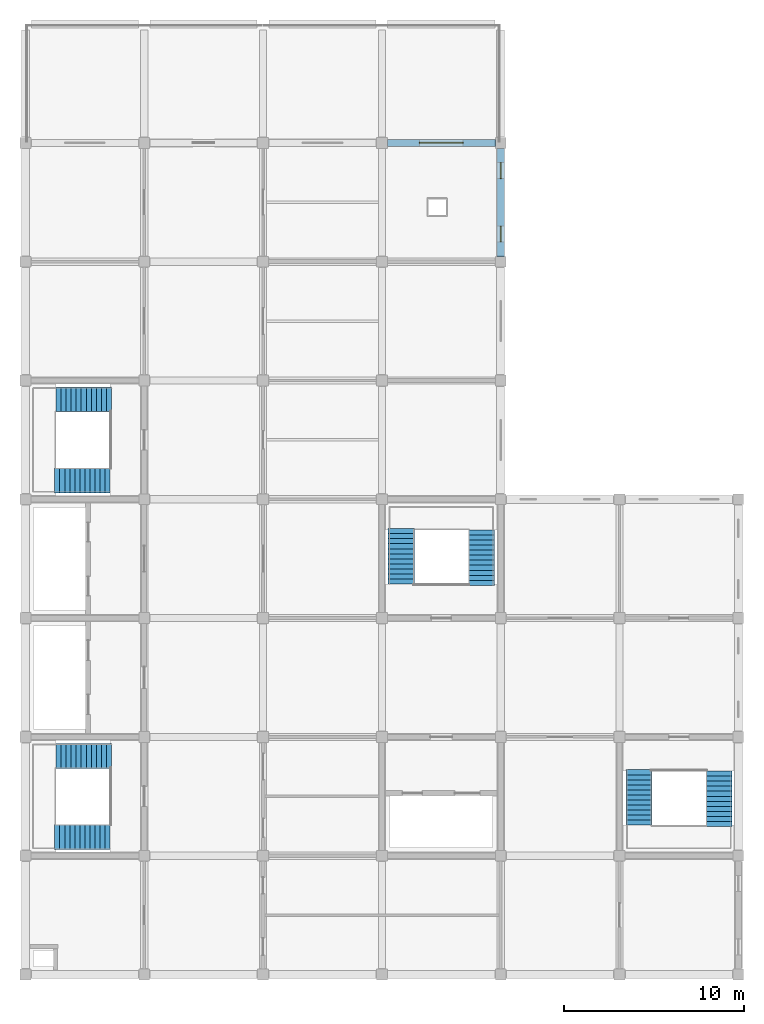
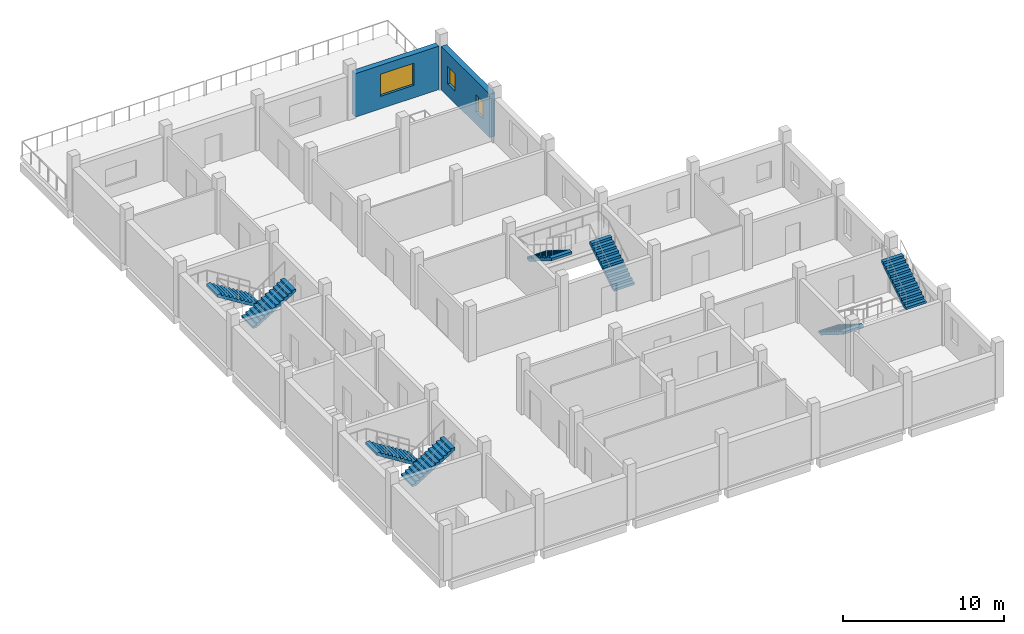
# One storey, part 5 of 7: 8 stair flights, 3 windows, 2 walls, 3 openings, 4 elements without a shape of their own.
"""IFC4 building model written with IfcOpenShell, lengths in metres."""

import ifcopenshell
import ifcopenshell.guid

model = None  # the IFC model being written
_history = None  # IfcOwnerHistory: only IFC2X3 demands one
_inside = {}  # id of a spatial element -> (the spatial element, [elements in it])
_under = {}  # id of a project, library or spatial element -> (it, [spatial elements below it])
_declared = {}  # id of a project -> (the project, [libraries it declares])
_typed = {}  # id of a type object -> (the type object, [elements of that type])
_made_of = {}  # id of a material, layer set ... -> (it, [elements and type objects made of it])


def new_model(schema):
    """Start an empty IFC model of exactly this schema.

    Asked for "IFC4X3", IfcOpenShell would pick the latest addendum, in which some entities
    have other attributes; the version numbers below select the first issue.
    IFC2X3 requires an IfcOwnerHistory on every rooted entity: one is made here for all.
    """
    global model, _history
    if schema == "IFC4X3":
        model = ifcopenshell.file(schema_version=(4, 3, 0, 0))
    else:
        model = ifcopenshell.file(schema=schema)
    _inside.clear()
    _under.clear()
    _declared.clear()
    _typed.clear()
    _made_of.clear()
    _history = None
    if model.schema == "IFC2X3":
        org = make("IfcOrganization", Name="unknown")
        user = make(
            "IfcPersonAndOrganization",
            ThePerson=make("IfcPerson", FamilyName="unknown"),
            TheOrganization=org,
        )
        app = make(
            "IfcApplication",
            ApplicationDeveloper=org,
            Version="unknown",
            ApplicationFullName="unknown",
            ApplicationIdentifier="unknown",
        )
        _history = make(
            "IfcOwnerHistory",
            OwningUser=user,
            OwningApplication=app,
            ChangeAction="ADDED",
            CreationDate=0,
        )
    return model


def make(cls, **values):
    """One entity of the class cls with the attributes given. An attribute that is None is left unset."""
    return model.create_entity(
        cls, **{name: value for name, value in values.items() if value is not None}
    )


def rooted(cls, **values):
    """An entity with a GlobalId (a new one), such as an element, a storey or a relation."""
    return make(cls, GlobalId=ifcopenshell.guid.new(), OwnerHistory=_history, **values)


def si_unit(unit_type, name, prefix=None):
    """IfcSIUnit, for example si_unit("LENGTHUNIT", "METRE", prefix="MILLI")."""
    return make("IfcSIUnit", UnitType=unit_type, Prefix=prefix, Name=name)


def assignment(units):
    """IfcUnitAssignment: the units of a project."""
    return None if units is None else make("IfcUnitAssignment", Units=units)


def point(xyz):
    """IfcCartesianPoint."""
    return None if xyz is None else make("IfcCartesianPoint", Coordinates=xyz)


def direction(xyz):
    """IfcDirection."""
    return None if xyz is None else make("IfcDirection", DirectionRatios=xyz)


def frame(location, z_axis=None, x_axis=None):
    """IfcAxis2Placement3D, a coordinate frame: its origin and axes. An axis left out is left unset."""
    return make(
        "IfcAxis2Placement3D",
        Location=point(location),
        Axis=direction(z_axis),
        RefDirection=direction(x_axis),
    )


def frame_2d(location, x_axis=None):
    """IfcAxis2Placement2D, a coordinate frame in the plane: its origin and x axis."""
    return make(
        "IfcAxis2Placement2D", Location=point(location), RefDirection=direction(x_axis)
    )


def origin():
    """The frame at (0, 0, 0) with its axes left unset."""
    return frame((0.0, 0.0, 0.0))


def place(relative_to, where):
    """IfcLocalPlacement: puts the frame where relative to a parent placement (None: the world)."""
    return make(
        "IfcLocalPlacement", PlacementRelTo=relative_to, RelativePlacement=where
    )


def context(
    kind, dimensions, precision=None, world=None, true_north=None, identifier=None
):
    """IfcGeometricRepresentationContext, for example the 3D "Model" context."""
    return make(
        "IfcGeometricRepresentationContext",
        ContextIdentifier=identifier,
        ContextType=kind,
        CoordinateSpaceDimension=dimensions,
        Precision=precision,
        WorldCoordinateSystem=world,
        TrueNorth=true_north,
    )


def subcontext(parent, identifier, kind, view, scale=None):
    """IfcGeometricRepresentationSubContext, for example "Body" below "Model"."""
    return make(
        "IfcGeometricRepresentationSubContext",
        ContextIdentifier=identifier,
        ContextType=kind,
        ParentContext=parent,
        TargetScale=scale,
        TargetView=view,
    )


def project(units=None, contexts=None):
    """IfcProject with its units and contexts."""
    return rooted(
        "IfcProject",
        Name="project",
        RepresentationContexts=contexts,
        UnitsInContext=assignment(units),
    )


def spatial(cls, under=None, at=None, **own):
    """A site, building, storey or space (cls), placed at a placement, below another one or the project."""
    s = rooted(cls, ObjectPlacement=at, **own)
    if under is not None:
        _under.setdefault(under.id(), (under, []))[1].append(s)
    return s


def polyline(points):
    """IfcPolyline through the points."""
    return make("IfcPolyline", Points=[point(p) for p in points])


def profile(cls, at=None, kind="AREA", **sizes):
    """A parametric profile (cls). Its sizes go by their IFC names, for example OverallWidth=200.0."""
    return make(cls, ProfileType=kind, Position=at, **sizes)


def rectangle(**sizes):
    """IfcRectangleProfileDef."""
    return profile("IfcRectangleProfileDef", **sizes)


def outline(outer, holes=None, kind="AREA"):
    """IfcArbitraryClosedProfileDef: a profile drawn as a closed curve; with holes, ...WithVoids."""
    if holes is None:
        return make("IfcArbitraryClosedProfileDef", ProfileType=kind, OuterCurve=outer)
    return make(
        "IfcArbitraryProfileDefWithVoids",
        ProfileType=kind,
        OuterCurve=outer,
        InnerCurves=holes,
    )


def extrude(swept, where, along, depth):
    """IfcExtrudedAreaSolid: the profile swept, set in the frame where, extruded along a direction by depth."""
    return make(
        "IfcExtrudedAreaSolid",
        SweptArea=swept,
        Position=where,
        ExtrudedDirection=direction(along),
        Depth=depth,
    )


def shape(context_of_items, identifier, shape_type, items):
    """IfcShapeRepresentation: the items that make up one representation, for example the "Body"."""
    return make(
        "IfcShapeRepresentation",
        ContextOfItems=context_of_items,
        RepresentationIdentifier=identifier,
        RepresentationType=shape_type,
        Items=items,
    )


def material(Name=None, Category=None):
    """IfcMaterial."""
    return make("IfcMaterial", Name=Name, Category=Category)


def layer(
    of_material, thickness, ventilated=None, Name=None, Category=None, Priority=None
):
    """IfcMaterialLayer: one layer of a wall or slab, of a material (None: an air gap)."""
    return make(
        "IfcMaterialLayer",
        Material=of_material,
        LayerThickness=thickness,
        IsVentilated=ventilated,
        Name=Name,
        Category=Category,
        Priority=Priority,
    )


def layer_set(layers, Name=None):
    """IfcMaterialLayerSet."""
    return make("IfcMaterialLayerSet", MaterialLayers=layers, LayerSetName=Name)


def made_of(thing, what):
    """Note that an element or type object is made of a material, layer set ...; save() writes the relation."""
    if what is not None:
        _made_of.setdefault(what.id(), (what, []))[1].append(thing)
    return thing


def type_object(cls, material=None, **own):
    """A type object (cls), such as IfcWallType, which elements share."""
    return made_of(rooted(cls, **own), material)


def element(
    cls,
    number,
    at=None,
    inside=None,
    cuts=None,
    type_object=None,
    material=None,
    context=None,
    identifier="Body",
    shape_type=None,
    held_by="IfcProductDefinitionShape",
    body=None,
    shapes=None,
    **own,
):
    """One element of the class cls, such as IfcWall. Its Tag is "e" and its number.

    at: its placement. inside: the storey or other place that contains it. cuts: it is an
    opening in that element (IfcRelVoidsElement). A single representation is given by context,
    identifier, shape_type and body (its items); several are given by shapes. held_by: the class
    of the entity that holds the representations. save() writes the other relations.
    """
    e = rooted(cls, Tag="e%d" % number, ObjectPlacement=at, **own)
    if body is not None:
        shapes = [shape(context, identifier, shape_type, body)]
    if shapes is not None:
        e.Representation = make(held_by, Representations=shapes)
    if inside is not None:
        _inside.setdefault(inside.id(), (inside, []))[1].append(e)
    if cuts is not None:
        rooted(
            "IfcRelVoidsElement", RelatingBuildingElement=cuts, RelatedOpeningElement=e
        )
    if type_object is not None:
        _typed.setdefault(type_object.id(), (type_object, []))[1].append(e)
    return made_of(e, material)


def fill(opening, filler):
    """IfcRelFillsElement: the door or window that sits in an opening."""
    return rooted(
        "IfcRelFillsElement",
        RelatingOpeningElement=opening,
        RelatedBuildingElement=filler,
    )


def aggregate(whole, parts):
    """IfcRelAggregates: a whole, such as a stair, and the parts it consists of."""
    return rooted("IfcRelAggregates", RelatingObject=whole, RelatedObjects=parts)


def save(model, path):
    """Write the relations noted so far, then the file.

    IfcRelAggregates (storeys below a building ...), IfcRelContainedInSpatialStructure (elements
    in a storey), IfcRelDefinesByType, IfcRelAssociatesMaterial and IfcRelDeclares: one each for
    every whole, place, type object, material and project.
    """
    for whole, parts in _under.values():
        aggregate(whole, parts)
    for where, things in _inside.values():
        rooted(
            "IfcRelContainedInSpatialStructure",
            RelatedElements=things,
            RelatingStructure=where,
        )
    for kind, things in _typed.values():
        rooted("IfcRelDefinesByType", RelatedObjects=things, RelatingType=kind)
    for what, things in _made_of.values():
        rooted("IfcRelAssociatesMaterial", RelatedObjects=things, RelatingMaterial=what)
    for by, libraries in _declared.values():
        rooted("IfcRelDeclares", RelatingContext=by, RelatedDefinitions=libraries)
    model.write(path)


model = new_model("IFC4")

# Units and contexts
model_context = context("Model", 3, precision=1e-05, world=origin(), true_north=direction((0.0, 1.0)))
body_context = subcontext(model_context, "Body", "Model", "MODEL_VIEW")
ifc_project = project(units=[si_unit("LENGTHUNIT", "METRE"), si_unit("AREAUNIT", "SQUARE_METRE"), si_unit("VOLUMEUNIT", "CUBIC_METRE"), si_unit("PLANEANGLEUNIT", "RADIAN"), si_unit("MASSUNIT", "GRAM", prefix="KILO")], contexts=[model_context])

# Site, building, storey
site_placement = place(None, origin())
site = spatial("IfcSite", under=ifc_project, at=site_placement, CompositionType="ELEMENT")
building_placement = place(site_placement, origin())
building = spatial("IfcBuilding", under=site, at=building_placement, Name="Rusizi Kubbe Research Institute", CompositionType="ELEMENT")
storey_placement = place(building_placement, frame((0.0, 0.0, 64.800048828125)))
storey = spatial("IfcBuildingStorey", under=building, at=storey_placement, Name="L15", CompositionType="ELEMENT", Elevation=64.800048828125)

# Wall, opening, window
ifc_material_1 = material(Name="Volcanic Basalt Ashlar Masonry", Category="masonry")
ifc_layer = layer(ifc_material_1, 0.39990234375)
ifc_layer_set = layer_set([ifc_layer], Name="Volcanic Basalt Ashlar Masonry")
wall_type = type_object("IfcWallType", Name="EW-03", PredefinedType="SOLIDWALL", material=ifc_layer_set)
wall_1_placement = place(storey_placement, frame((20.10009765625, 46.199951171875, 0.0), z_axis=(0.0, 0.0, 1.0), x_axis=(1.0, 0.0, 0.0)))
wall_1 = element("IfcWall", 1, at=wall_1_placement, inside=storey, type_object=wall_type, Name="Ablaq Stone Exterior Wall L15 H3-7", PredefinedType="SOLIDWALL", context=body_context, shape_type="SweptSolid", body=[
    extrude(rectangle(XDim=6.0, YDim=0.39990234375, at=frame_2d((3.0, 0.0))), origin(), (0.0, 0.0, 1.0), 3.300048828125),
])
opening_1_placement = place(wall_1_placement, frame((1.7900390625, 0.0, 0.949951171875)))
opening_1 = element("IfcOpeningElement", 2, at=opening_1_placement, cuts=wall_1, Name="Opening WN-38", PredefinedType="OPENING", context=body_context, shape_type="SweptSolid", body=[
    extrude(rectangle(XDim=2.419921875, YDim=1.679931640625, at=frame_2d((1.2099609375, 0.83984375))), frame((0.0, 0.2099609375, 0.0), z_axis=(0.0, -1.0, 0.0), x_axis=(1.0, 0.0, 0.0)), (0.0, 0.0, 1.0), 0.419921875),
])
ifc_material_2 = material(Name="Aluminium Frame and Solar-Control Double Glazing", Category="glass")
window_type_1 = type_object("IfcWindowType", Name="WN-38", PartitioningType="DOUBLE_PANEL_VERTICAL", PredefinedType="WINDOW", material=ifc_material_2)
window_1_placement = place(opening_1_placement, origin())
window_1 = element("IfcWindow", 3, at=window_1_placement, inside=storey, type_object=window_type_1, Name="Casement Window WN-38 L15", OverallHeight=1.679931640625, OverallWidth=2.419921875, PartitioningType="DOUBLE_PANEL_VERTICAL", PredefinedType="WINDOW", context=body_context, shape_type="SweptSolid", body=[
    extrude(rectangle(XDim=2.419921875, YDim=1.679931640625, at=frame_2d((1.2099609375, 0.83984375))), frame((0.0, 0.030029296875, 0.0), z_axis=(0.0, -1.0, 0.0), x_axis=(1.0, 0.0, 0.0)), (0.0, 0.0, 1.0), 0.06005859375),
])
fill(opening_1, window_1)

# Wall, openings, windows
wall_2_placement = place(storey_placement, frame((26.39990234375, 39.89990234375, 0.0), z_axis=(0.0, 0.0, 1.0), x_axis=(0.0, 1.0, 0.0)))
wall_2 = element("IfcWall", 4, at=wall_2_placement, inside=storey, type_object=wall_type, Name="Ablaq Stone Exterior Wall L15 V4-6", PredefinedType="SOLIDWALL", context=body_context, shape_type="SweptSolid", body=[
    extrude(rectangle(XDim=6.0, YDim=0.39990234375, at=frame_2d((3.0, 0.0))), origin(), (0.0, 0.0, 1.0), 3.300048828125),
])
opening_2_placement = place(wall_2_placement, frame((0.800048828125, 0.0, 0.949951171875)))
opening_2 = element("IfcOpeningElement", 5, at=opening_2_placement, cuts=wall_2, Name="Opening WN-01", PredefinedType="OPENING", context=body_context, shape_type="SweptSolid", body=[
    extrude(rectangle(XDim=0.8798828125, YDim=1.300048828125, at=frame_2d((0.43994140625, 0.64990234375))), frame((0.0, 0.2099609375, 0.0), z_axis=(0.0, -1.0, 0.0), x_axis=(1.0, 0.0, 0.0)), (0.0, 0.0, 1.0), 0.419921875),
])
opening_3_placement = place(wall_2_placement, frame((4.320068359375, 0.0, 0.949951171875)))
opening_3 = element("IfcOpeningElement", 6, at=opening_3_placement, cuts=wall_2, Name="Opening WN-01", PredefinedType="OPENING", context=body_context, shape_type="SweptSolid", body=[
    extrude(rectangle(XDim=0.8798828125, YDim=1.300048828125, at=frame_2d((0.43994140625, 0.64990234375))), frame((0.0, 0.2099609375, 0.0), z_axis=(0.0, -1.0, 0.0), x_axis=(1.0, 0.0, 0.0)), (0.0, 0.0, 1.0), 0.419921875),
])
ifc_material_3 = material(Name="Aluminium Frame and Solar-Control Double Glazing", Category="glass")
window_type_2 = type_object("IfcWindowType", Name="WN-01", PartitioningType="SINGLE_PANEL", PredefinedType="WINDOW", material=ifc_material_3)
window_2_placement = place(opening_2_placement, origin())
window_2 = element("IfcWindow", 7, at=window_2_placement, inside=storey, type_object=window_type_2, Name="Casement Window WN-01 L15", OverallHeight=1.300048828125, OverallWidth=0.8798828125, PartitioningType="SINGLE_PANEL", PredefinedType="WINDOW", context=body_context, shape_type="SweptSolid", body=[
    extrude(rectangle(XDim=0.8798828125, YDim=1.300048828125, at=frame_2d((0.43994140625, 0.64990234375))), frame((0.0, 0.030029296875, 0.0), z_axis=(0.0, -1.0, 0.0), x_axis=(1.0, 0.0, 0.0)), (0.0, 0.0, 1.0), 0.06005859375),
])
fill(opening_2, window_2)
window_3_placement = place(opening_3_placement, origin())
window_3 = element("IfcWindow", 8, at=window_3_placement, inside=storey, type_object=window_type_2, Name="Casement Window WN-01 L15", OverallHeight=1.300048828125, OverallWidth=0.8798828125, PartitioningType="SINGLE_PANEL", PredefinedType="WINDOW", context=body_context, shape_type="SweptSolid", body=[
    extrude(rectangle(XDim=0.8798828125, YDim=1.300048828125, at=frame_2d((0.43994140625, 0.64990234375))), frame((0.0, 0.030029296875, 0.0), z_axis=(0.0, -1.0, 0.0), x_axis=(1.0, 0.0, 0.0)), (0.0, 0.0, 1.0), 0.06005859375),
])
fill(opening_3, window_3)

# Stair, stair flights
ifc_material_4 = material(Name="Concrete C40/50", Category="concrete")
stair_type_1 = type_object("IfcStairType", Name="ST-H420A", PredefinedType="HALF_TURN_STAIR", material=ifc_material_4)
stair_1_placement = place(storey_placement, origin())
stair_1 = element("IfcStair", 9, at=stair_1_placement, inside=storey, type_object=stair_type_1, Name="Protected Exit Stair ST1 (L15)", PredefinedType="HALF_TURN_STAIR")
ifc_material_5 = material(Name="Concrete C40/50", Category="concrete")
stair_flight_type_1 = type_object("IfcStairFlightType", Name="FL-H420A", PredefinedType="STRAIGHT", material=ifc_material_5)
stair_flight_1_placement = place(storey_placement, frame((4.780029296875, 12.14990234375, 0.0), z_axis=(0.0, 0.0, 1.0), x_axis=(-1.0, 0.0, 0.0)))
stair_flight_1 = element("IfcStairFlight", 10, at=stair_flight_1_placement, type_object=stair_flight_type_1, Name="ST1 flight 1", NumberOfRisers=12, NumberOfTreads=11, PredefinedType="STRAIGHT", RiserHeight=0.175, TreadLength=0.28, context=body_context, shape_type="SweptSolid", body=[
    extrude(outline(polyline([(0.0, 0.0), (0.0, 0.175048828125), (0.280029296875, 0.175048828125), (0.280029296875, 0.35009765625), (0.56005859375, 0.35009765625), (0.56005859375, 0.52490234375), (0.840087890625, 0.52490234375), (0.840087890625, 0.699951171875), (1.1201171875, 0.699951171875), (1.1201171875, 0.875), (1.39990234375, 0.875), (1.39990234375, 1.050048828125), (1.679931640625, 1.050048828125), (1.679931640625, 1.22509765625), (1.9599609375, 1.22509765625), (1.9599609375, 1.39990234375), (2.239990234375, 1.39990234375), (2.239990234375, 1.574951171875), (2.52001953125, 1.574951171875), (2.52001953125, 1.75), (2.800048828125, 1.75), (2.800048828125, 1.925048828125), (3.080078125, 1.925048828125), (3.080078125, 2.10009765625), (3.080078125, 1.736328125), (0.3017578125, 0.0), (0.0, 0.0)])), frame((0.0, 0.699951171875, 0.0), z_axis=(0.0, -1.0, 0.0), x_axis=(1.0, 0.0, 0.0)), (0.0, 0.0, 1.0), 1.39990234375),
])
stair_flight_2_placement = place(storey_placement, frame((1.6259765625, 7.64990234375, 2.099853515625), z_axis=(0.0, 0.0, 1.0), x_axis=(1.0, 0.0, 0.0)))
stair_flight_2 = element("IfcStairFlight", 11, at=stair_flight_2_placement, type_object=stair_flight_type_1, Name="ST1 flight 2", NumberOfRisers=12, NumberOfTreads=11, PredefinedType="STRAIGHT", RiserHeight=0.175, TreadLength=0.28, context=body_context, shape_type="SweptSolid", body=[
    extrude(outline(polyline([(0.0, 0.0), (0.0, 0.175048828125), (0.280029296875, 0.175048828125), (0.280029296875, 0.35009765625), (0.56005859375, 0.35009765625), (0.56005859375, 0.52490234375), (0.840087890625, 0.52490234375), (0.840087890625, 0.699951171875), (1.1201171875, 0.699951171875), (1.1201171875, 0.875), (1.39990234375, 0.875), (1.39990234375, 1.050048828125), (1.679931640625, 1.050048828125), (1.679931640625, 1.22509765625), (1.9599609375, 1.22509765625), (1.9599609375, 1.39990234375), (2.239990234375, 1.39990234375), (2.239990234375, 1.574951171875), (2.52001953125, 1.574951171875), (2.52001953125, 1.75), (2.800048828125, 1.75), (2.800048828125, 1.925048828125), (3.080078125, 1.925048828125), (3.080078125, 2.10009765625), (3.080078125, 1.736328125), (0.3017578125, 0.0), (0.0, 0.0)])), frame((0.0, 0.699951171875, 0.0), z_axis=(0.0, -1.0, 0.0), x_axis=(1.0, 0.0, 0.0)), (0.0, 0.0, 1.0), 1.39990234375),
])
aggregate(stair_1, [stair_flight_1, stair_flight_2])

stair_2_placement = place(storey_placement, origin())
stair_2 = element("IfcStair", 12, at=stair_2_placement, inside=storey, type_object=stair_type_1, Name="Protected Exit Stair ST2 (L15)", PredefinedType="HALF_TURN_STAIR")
stair_flight_3_placement = place(storey_placement, frame((4.780029296875, 31.949951171875, 0.0), z_axis=(0.0, 0.0, 1.0), x_axis=(-1.0, 0.0, 0.0)))
stair_flight_3 = element("IfcStairFlight", 13, at=stair_flight_3_placement, type_object=stair_flight_type_1, Name="ST2 flight 1", NumberOfRisers=12, NumberOfTreads=11, PredefinedType="STRAIGHT", RiserHeight=0.175, TreadLength=0.28, context=body_context, shape_type="SweptSolid", body=[
    extrude(outline(polyline([(0.0, 0.0), (0.0, 0.175048828125), (0.280029296875, 0.175048828125), (0.280029296875, 0.35009765625), (0.56005859375, 0.35009765625), (0.56005859375, 0.52490234375), (0.840087890625, 0.52490234375), (0.840087890625, 0.699951171875), (1.1201171875, 0.699951171875), (1.1201171875, 0.875), (1.39990234375, 0.875), (1.39990234375, 1.050048828125), (1.679931640625, 1.050048828125), (1.679931640625, 1.22509765625), (1.9599609375, 1.22509765625), (1.9599609375, 1.39990234375), (2.239990234375, 1.39990234375), (2.239990234375, 1.574951171875), (2.52001953125, 1.574951171875), (2.52001953125, 1.75), (2.800048828125, 1.75), (2.800048828125, 1.925048828125), (3.080078125, 1.925048828125), (3.080078125, 2.10009765625), (3.080078125, 1.736328125), (0.3017578125, 0.0), (0.0, 0.0)])), frame((0.0, 0.699951171875, 0.0), z_axis=(0.0, -1.0, 0.0), x_axis=(1.0, 0.0, 0.0)), (0.0, 0.0, 1.0), 1.39990234375),
])
stair_flight_4_placement = place(storey_placement, frame((1.6259765625, 27.449951171875, 2.099853515625), z_axis=(0.0, 0.0, 1.0), x_axis=(1.0, 0.0, 0.0)))
stair_flight_4 = element("IfcStairFlight", 14, at=stair_flight_4_placement, type_object=stair_flight_type_1, Name="ST2 flight 2", NumberOfRisers=12, NumberOfTreads=11, PredefinedType="STRAIGHT", RiserHeight=0.175, TreadLength=0.28, context=body_context, shape_type="SweptSolid", body=[
    extrude(outline(polyline([(0.0, 0.0), (0.0, 0.175048828125), (0.280029296875, 0.175048828125), (0.280029296875, 0.35009765625), (0.56005859375, 0.35009765625), (0.56005859375, 0.52490234375), (0.840087890625, 0.52490234375), (0.840087890625, 0.699951171875), (1.1201171875, 0.699951171875), (1.1201171875, 0.875), (1.39990234375, 0.875), (1.39990234375, 1.050048828125), (1.679931640625, 1.050048828125), (1.679931640625, 1.22509765625), (1.9599609375, 1.22509765625), (1.9599609375, 1.39990234375), (2.239990234375, 1.39990234375), (2.239990234375, 1.574951171875), (2.52001953125, 1.574951171875), (2.52001953125, 1.75), (2.800048828125, 1.75), (2.800048828125, 1.925048828125), (3.080078125, 1.925048828125), (3.080078125, 2.10009765625), (3.080078125, 1.736328125), (0.3017578125, 0.0), (0.0, 0.0)])), frame((0.0, 0.699951171875, 0.0), z_axis=(0.0, -1.0, 0.0), x_axis=(1.0, 0.0, 0.0)), (0.0, 0.0, 1.0), 1.39990234375),
])
aggregate(stair_2, [stair_flight_3, stair_flight_4])

ifc_material_6 = material(Name="Concrete C40/50", Category="concrete")
stair_type_2 = type_object("IfcStairType", Name="ST-H420B", PredefinedType="HALF_TURN_STAIR", material=ifc_material_6)
stair_3_placement = place(storey_placement, origin())
stair_3 = element("IfcStair", 15, at=stair_3_placement, inside=storey, type_object=stair_type_2, Name="Protected Exit Stair ST3 (L15)", PredefinedType="HALF_TURN_STAIR")
ifc_material_7 = material(Name="Concrete C40/50", Category="concrete")
stair_flight_type_2 = type_object("IfcStairFlightType", Name="FL-H420B", PredefinedType="STRAIGHT", material=ifc_material_7)
stair_flight_5_placement = place(storey_placement, frame((25.324951171875, 21.6201171875, 0.0), z_axis=(0.0, 0.0, 1.0), x_axis=(0.0, 1.0, 0.0)))
stair_flight_5 = element("IfcStairFlight", 16, at=stair_flight_5_placement, type_object=stair_flight_type_2, Name="ST3 flight 1", NumberOfRisers=12, NumberOfTreads=11, PredefinedType="STRAIGHT", RiserHeight=0.175, TreadLength=0.28, context=body_context, shape_type="SweptSolid", body=[
    extrude(outline(polyline([(0.0, 0.0), (0.0, 0.175048828125), (0.280029296875, 0.175048828125), (0.280029296875, 0.35009765625), (0.56005859375, 0.35009765625), (0.56005859375, 0.52490234375), (0.840087890625, 0.52490234375), (0.840087890625, 0.699951171875), (1.1201171875, 0.699951171875), (1.1201171875, 0.875), (1.39990234375, 0.875), (1.39990234375, 1.050048828125), (1.679931640625, 1.050048828125), (1.679931640625, 1.22509765625), (1.9599609375, 1.22509765625), (1.9599609375, 1.39990234375), (2.239990234375, 1.39990234375), (2.239990234375, 1.574951171875), (2.52001953125, 1.574951171875), (2.52001953125, 1.75), (2.800048828125, 1.75), (2.800048828125, 1.925048828125), (3.080078125, 1.925048828125), (3.080078125, 2.10009765625), (3.080078125, 1.736328125), (0.3017578125, 0.0), (0.0, 0.0)])), frame((0.0, 0.72509765625, 0.0), z_axis=(0.0, -1.0, 0.0), x_axis=(1.0, 0.0, 0.0)), (0.0, 0.0, 1.0), 1.449951171875),
])
stair_flight_6_placement = place(storey_placement, frame((20.875, 24.77392578125, 2.099853515625), z_axis=(0.0, 0.0, 1.0), x_axis=(0.0, -1.0, 0.0)))
stair_flight_6 = element("IfcStairFlight", 17, at=stair_flight_6_placement, type_object=stair_flight_type_2, Name="ST3 flight 2", NumberOfRisers=12, NumberOfTreads=11, PredefinedType="STRAIGHT", RiserHeight=0.175, TreadLength=0.28, context=body_context, shape_type="SweptSolid", body=[
    extrude(outline(polyline([(0.0, 0.0), (0.0, 0.175048828125), (0.280029296875, 0.175048828125), (0.280029296875, 0.35009765625), (0.56005859375, 0.35009765625), (0.56005859375, 0.52490234375), (0.840087890625, 0.52490234375), (0.840087890625, 0.699951171875), (1.1201171875, 0.699951171875), (1.1201171875, 0.875), (1.39990234375, 0.875), (1.39990234375, 1.050048828125), (1.679931640625, 1.050048828125), (1.679931640625, 1.22509765625), (1.9599609375, 1.22509765625), (1.9599609375, 1.39990234375), (2.239990234375, 1.39990234375), (2.239990234375, 1.574951171875), (2.52001953125, 1.574951171875), (2.52001953125, 1.75), (2.800048828125, 1.75), (2.800048828125, 1.925048828125), (3.080078125, 1.925048828125), (3.080078125, 2.10009765625), (3.080078125, 1.736328125), (0.3017578125, 0.0), (0.0, 0.0)])), frame((0.0, 0.72509765625, 0.0), z_axis=(0.0, -1.0, 0.0), x_axis=(1.0, 0.0, 0.0)), (0.0, 0.0, 1.0), 1.449951171875),
])
aggregate(stair_3, [stair_flight_5, stair_flight_6])

stair_4_placement = place(storey_placement, origin())
stair_4 = element("IfcStair", 18, at=stair_4_placement, inside=storey, type_object=stair_type_2, Name="Protected Exit Stair ST4 (L15)", PredefinedType="HALF_TURN_STAIR")
stair_flight_7_placement = place(storey_placement, frame((34.074951171875, 11.3798828125, 0.0), z_axis=(0.0, 0.0, 1.0), x_axis=(0.0, -1.0, 0.0)))
stair_flight_7 = element("IfcStairFlight", 19, at=stair_flight_7_placement, type_object=stair_flight_type_2, Name="ST4 flight 1", NumberOfRisers=12, NumberOfTreads=11, PredefinedType="STRAIGHT", RiserHeight=0.175, TreadLength=0.28, context=body_context, shape_type="SweptSolid", body=[
    extrude(outline(polyline([(0.0, 0.0), (0.0, 0.175048828125), (0.280029296875, 0.175048828125), (0.280029296875, 0.35009765625), (0.56005859375, 0.35009765625), (0.56005859375, 0.52490234375), (0.840087890625, 0.52490234375), (0.840087890625, 0.699951171875), (1.1201171875, 0.699951171875), (1.1201171875, 0.875), (1.39990234375, 0.875), (1.39990234375, 1.050048828125), (1.679931640625, 1.050048828125), (1.679931640625, 1.22509765625), (1.9599609375, 1.22509765625), (1.9599609375, 1.39990234375), (2.239990234375, 1.39990234375), (2.239990234375, 1.574951171875), (2.52001953125, 1.574951171875), (2.52001953125, 1.75), (2.800048828125, 1.75), (2.800048828125, 1.925048828125), (3.080078125, 1.925048828125), (3.080078125, 2.10009765625), (3.080078125, 1.736328125), (0.3017578125, 0.0), (0.0, 0.0)])), frame((0.0, 0.72509765625, 0.0), z_axis=(0.0, -1.0, 0.0), x_axis=(1.0, 0.0, 0.0)), (0.0, 0.0, 1.0), 1.449951171875),
])
stair_flight_8_placement = place(storey_placement, frame((38.52490234375, 8.22607421875, 2.099853515625), z_axis=(0.0, 0.0, 1.0), x_axis=(0.0, 1.0, 0.0)))
stair_flight_8 = element("IfcStairFlight", 20, at=stair_flight_8_placement, type_object=stair_flight_type_2, Name="ST4 flight 2", NumberOfRisers=12, NumberOfTreads=11, PredefinedType="STRAIGHT", RiserHeight=0.175, TreadLength=0.28, context=body_context, shape_type="SweptSolid", body=[
    extrude(outline(polyline([(0.0, 0.0), (0.0, 0.175048828125), (0.280029296875, 0.175048828125), (0.280029296875, 0.35009765625), (0.56005859375, 0.35009765625), (0.56005859375, 0.52490234375), (0.840087890625, 0.52490234375), (0.840087890625, 0.699951171875), (1.1201171875, 0.699951171875), (1.1201171875, 0.875), (1.39990234375, 0.875), (1.39990234375, 1.050048828125), (1.679931640625, 1.050048828125), (1.679931640625, 1.22509765625), (1.9599609375, 1.22509765625), (1.9599609375, 1.39990234375), (2.239990234375, 1.39990234375), (2.239990234375, 1.574951171875), (2.52001953125, 1.574951171875), (2.52001953125, 1.75), (2.800048828125, 1.75), (2.800048828125, 1.925048828125), (3.080078125, 1.925048828125), (3.080078125, 2.10009765625), (3.080078125, 1.736328125), (0.3017578125, 0.0), (0.0, 0.0)])), frame((0.0, 0.72509765625, 0.0), z_axis=(0.0, -1.0, 0.0), x_axis=(1.0, 0.0, 0.0)), (0.0, 0.0, 1.0), 1.449951171875),
])
aggregate(stair_4, [stair_flight_7, stair_flight_8])

save(model, "model.ifc")
